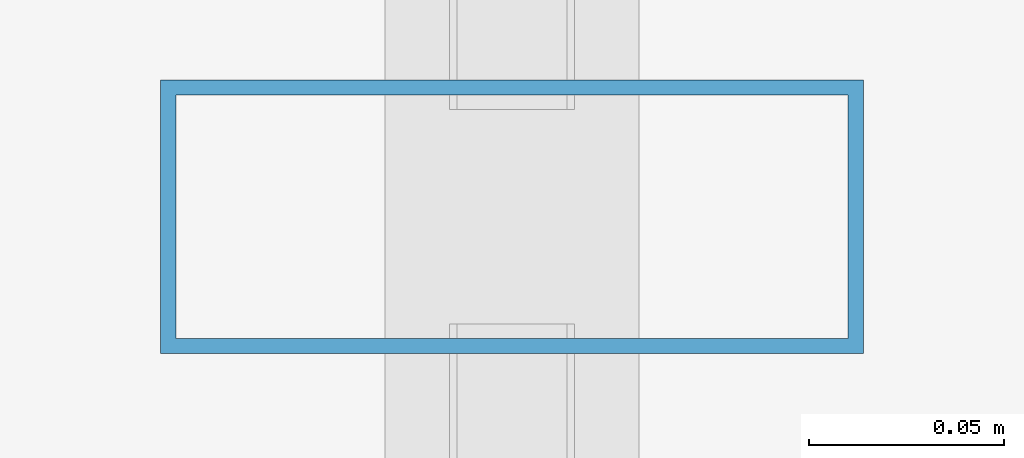
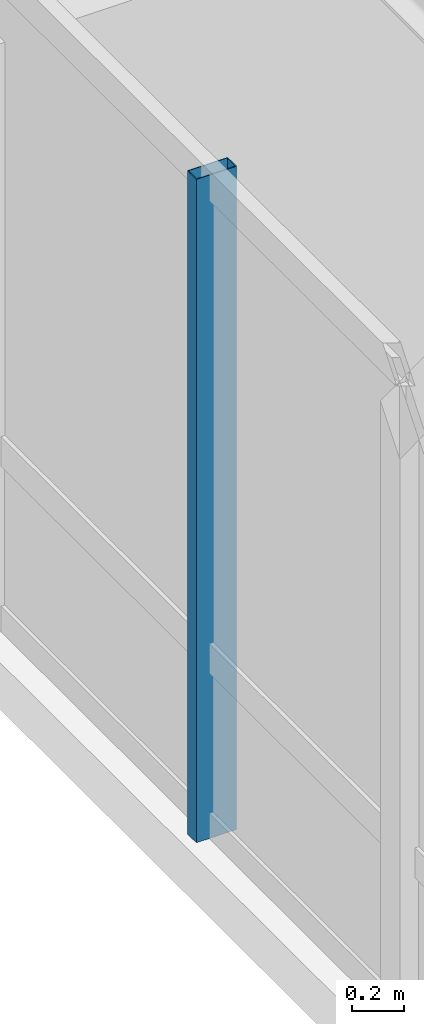
# One storey, part 13 of 31: 1 member, 1 element without a shape of its own.
"""IFC4 building model written with IfcOpenShell, lengths in metres."""

from ifc_helpers import new_model, si_unit, direction, frame, origin, origin_2d, place, context, subcontext, project, spatial, hollow_rectangle, extrude, material, layer, layer_set, material_profile, profile_set, type_object, element, aggregate, save


model = new_model("IFC4")

# Units and contexts
model_context = context("Model", 3, precision=1e-05, world=origin(), true_north=direction((0.0, 1.0)))
body_context = subcontext(model_context, "Body", "Model", "MODEL_VIEW")
ifc_project = project(units=[si_unit("LENGTHUNIT", "METRE"), si_unit("AREAUNIT", "SQUARE_METRE"), si_unit("VOLUMEUNIT", "CUBIC_METRE"), si_unit("PLANEANGLEUNIT", "RADIAN"), si_unit("MASSUNIT", "GRAM", prefix="KILO")], contexts=[model_context])

# Site, building, storey
site_placement = place(None, origin())
site = spatial("IfcSite", under=ifc_project, at=site_placement, CompositionType="ELEMENT")
building_placement = place(site_placement, origin())
building = spatial("IfcBuilding", under=site, at=building_placement, Name="Hatsunagi Terrace Concourse", CompositionType="ELEMENT")
storey_placement = place(building_placement, frame((0.0, 0.0, 77.949951171875)))
storey = spatial("IfcBuildingStorey", under=building, at=storey_placement, Name="L20", CompositionType="ELEMENT", Elevation=77.949951171875)

# Curtain wall, member
ifc_material_1 = material(Name="Anodised Aluminium Alloy 6063-T5", Category="aluminium")
ifc_layer = layer(ifc_material_1, 0.199951171875)
ifc_layer_set = layer_set([ifc_layer], Name="HotelFacade_CW02")
curtain_wall_type = type_object("IfcCurtainWallType", Name="HotelFacade_CW02", PredefinedType="NOTDEFINED", material=ifc_layer_set)
curtain_wall_placement = place(storey_placement, origin())
curtain_wall = element("IfcCurtainWall", 1, at=curtain_wall_placement, inside=storey, type_object=curtain_wall_type, Name="Unitised Curtain Wall CW-02 CW-L20-09", PredefinedType="NOTDEFINED")
ifc_material_2 = material(Name="Anodised Aluminium Alloy 6063-T5", Category="aluminium")
ifc_material_profile = material_profile(ifc_material_2, hollow_rectangle(XDim=0.070068359375, YDim=0.179931640625, WallThickness=0.00390625, at=origin_2d()), Name="ALU-MUL-180x70x4")
ifc_profile_set = profile_set([ifc_material_profile], Name="Anodised Aluminium Alloy 6063-T5")
member_type = type_object("IfcMemberType", Name="CurtainWallMullion_180x70", PredefinedType="MULLION", material=ifc_profile_set)
member_placement = place(storey_placement, frame((9.739990234375, 36.89990234375, 0.0), z_axis=(0.0, 0.0, 1.0), x_axis=(0.0, 1.0, 0.0)))
member = element("IfcMember", 2, at=member_placement, type_object=member_type, Name="Curtain Wall Mullion MUL-02", PredefinedType="MULLION", context=body_context, shape_type="SweptSolid", body=[
    extrude(hollow_rectangle(XDim=0.070068359375, YDim=0.179931640625, WallThickness=0.00390625, at=origin_2d()), origin(), (0.0, 0.0, 1.0), 3.130126953125),
])
aggregate(curtain_wall, [member])

save(model, "model.ifc")
